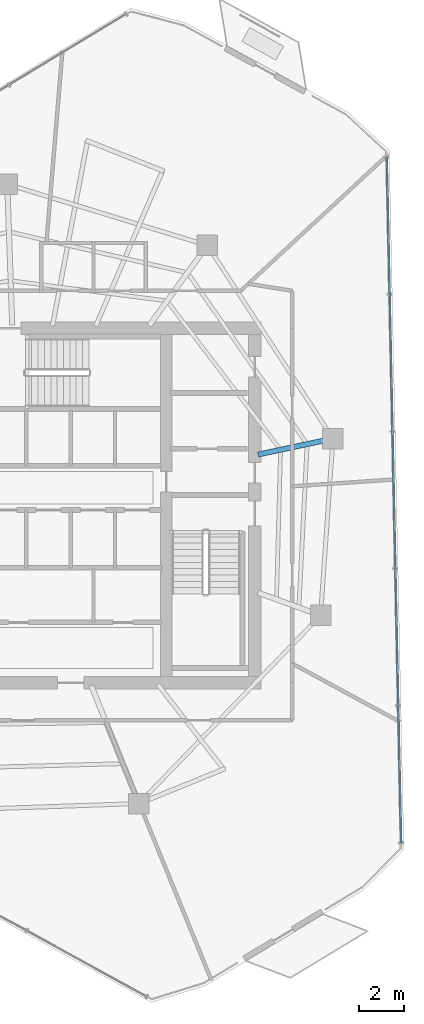
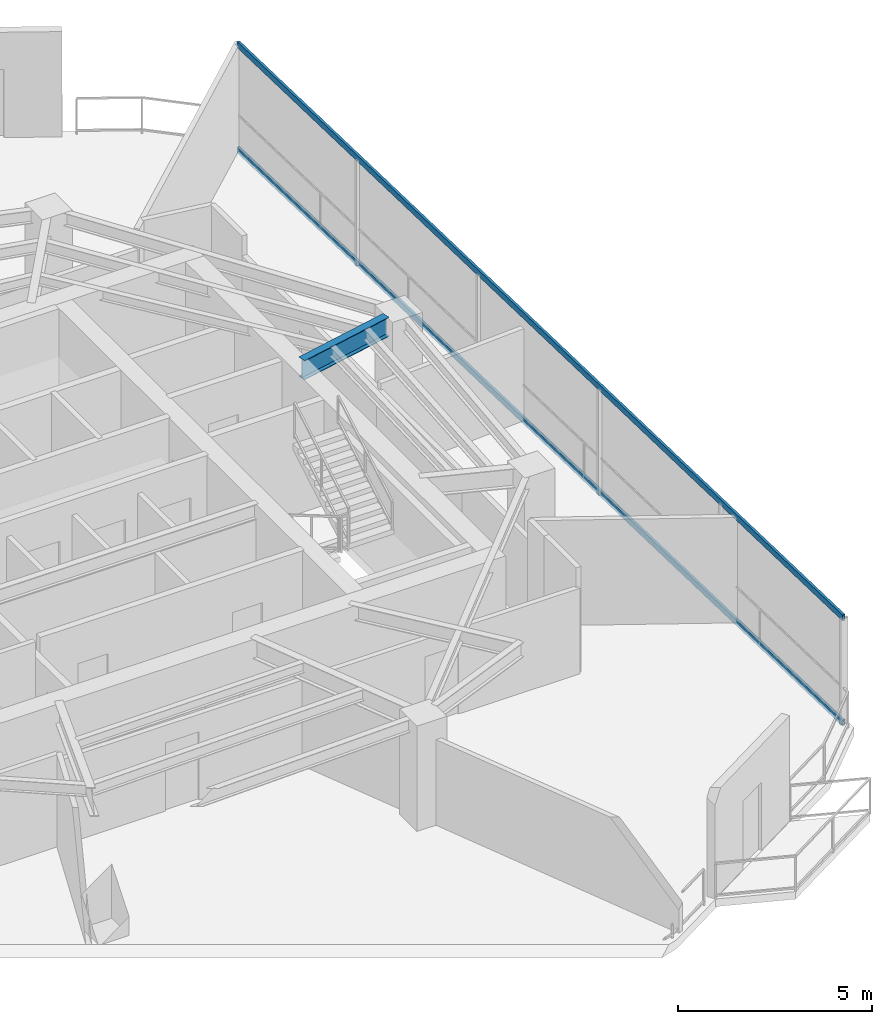
# One storey, part 8 of 19: 2 members, 1 beam, 1 element without a shape of its own.
"""IFC4 building model written with IfcOpenShell, lengths in metres."""

import ifcopenshell
import ifcopenshell.guid

model = None  # the IFC model being written
_history = None  # IfcOwnerHistory: only IFC2X3 demands one
_inside = {}  # id of a spatial element -> (the spatial element, [elements in it])
_under = {}  # id of a project, library or spatial element -> (it, [spatial elements below it])
_declared = {}  # id of a project -> (the project, [libraries it declares])
_typed = {}  # id of a type object -> (the type object, [elements of that type])
_made_of = {}  # id of a material, layer set ... -> (it, [elements and type objects made of it])


def new_model(schema):
    """Start an empty IFC model of exactly this schema.

    Asked for "IFC4X3", IfcOpenShell would pick the latest addendum, in which some entities
    have other attributes; the version numbers below select the first issue.
    IFC2X3 requires an IfcOwnerHistory on every rooted entity: one is made here for all.
    """
    global model, _history
    if schema == "IFC4X3":
        model = ifcopenshell.file(schema_version=(4, 3, 0, 0))
    else:
        model = ifcopenshell.file(schema=schema)
    _inside.clear()
    _under.clear()
    _declared.clear()
    _typed.clear()
    _made_of.clear()
    _history = None
    if model.schema == "IFC2X3":
        org = make("IfcOrganization", Name="unknown")
        user = make(
            "IfcPersonAndOrganization",
            ThePerson=make("IfcPerson", FamilyName="unknown"),
            TheOrganization=org,
        )
        app = make(
            "IfcApplication",
            ApplicationDeveloper=org,
            Version="unknown",
            ApplicationFullName="unknown",
            ApplicationIdentifier="unknown",
        )
        _history = make(
            "IfcOwnerHistory",
            OwningUser=user,
            OwningApplication=app,
            ChangeAction="ADDED",
            CreationDate=0,
        )
    return model


def make(cls, **values):
    """One entity of the class cls with the attributes given. An attribute that is None is left unset."""
    return model.create_entity(
        cls, **{name: value for name, value in values.items() if value is not None}
    )


def rooted(cls, **values):
    """An entity with a GlobalId (a new one), such as an element, a storey or a relation."""
    return make(cls, GlobalId=ifcopenshell.guid.new(), OwnerHistory=_history, **values)


def si_unit(unit_type, name, prefix=None):
    """IfcSIUnit, for example si_unit("LENGTHUNIT", "METRE", prefix="MILLI")."""
    return make("IfcSIUnit", UnitType=unit_type, Prefix=prefix, Name=name)


def assignment(units):
    """IfcUnitAssignment: the units of a project."""
    return None if units is None else make("IfcUnitAssignment", Units=units)


def point(xyz):
    """IfcCartesianPoint."""
    return None if xyz is None else make("IfcCartesianPoint", Coordinates=xyz)


def direction(xyz):
    """IfcDirection."""
    return None if xyz is None else make("IfcDirection", DirectionRatios=xyz)


def frame(location, z_axis=None, x_axis=None):
    """IfcAxis2Placement3D, a coordinate frame: its origin and axes. An axis left out is left unset."""
    return make(
        "IfcAxis2Placement3D",
        Location=point(location),
        Axis=direction(z_axis),
        RefDirection=direction(x_axis),
    )


def frame_2d(location, x_axis=None):
    """IfcAxis2Placement2D, a coordinate frame in the plane: its origin and x axis."""
    return make(
        "IfcAxis2Placement2D", Location=point(location), RefDirection=direction(x_axis)
    )


def origin():
    """The frame at (0, 0, 0) with its axes left unset."""
    return frame((0.0, 0.0, 0.0))


def origin_2d():
    """The frame at (0, 0) in the plane with its x axis left unset."""
    return frame_2d((0.0, 0.0))


def place(relative_to, where):
    """IfcLocalPlacement: puts the frame where relative to a parent placement (None: the world)."""
    return make(
        "IfcLocalPlacement", PlacementRelTo=relative_to, RelativePlacement=where
    )


def context(
    kind, dimensions, precision=None, world=None, true_north=None, identifier=None
):
    """IfcGeometricRepresentationContext, for example the 3D "Model" context."""
    return make(
        "IfcGeometricRepresentationContext",
        ContextIdentifier=identifier,
        ContextType=kind,
        CoordinateSpaceDimension=dimensions,
        Precision=precision,
        WorldCoordinateSystem=world,
        TrueNorth=true_north,
    )


def subcontext(parent, identifier, kind, view, scale=None):
    """IfcGeometricRepresentationSubContext, for example "Body" below "Model"."""
    return make(
        "IfcGeometricRepresentationSubContext",
        ContextIdentifier=identifier,
        ContextType=kind,
        ParentContext=parent,
        TargetScale=scale,
        TargetView=view,
    )


def project(units=None, contexts=None):
    """IfcProject with its units and contexts."""
    return rooted(
        "IfcProject",
        Name="project",
        RepresentationContexts=contexts,
        UnitsInContext=assignment(units),
    )


def spatial(cls, under=None, at=None, **own):
    """A site, building, storey or space (cls), placed at a placement, below another one or the project."""
    s = rooted(cls, ObjectPlacement=at, **own)
    if under is not None:
        _under.setdefault(under.id(), (under, []))[1].append(s)
    return s


def profile(cls, at=None, kind="AREA", **sizes):
    """A parametric profile (cls). Its sizes go by their IFC names, for example OverallWidth=200.0."""
    return make(cls, ProfileType=kind, Position=at, **sizes)


def hollow_rectangle(**sizes):
    """IfcRectangleHollowProfileDef."""
    return profile("IfcRectangleHollowProfileDef", **sizes)


def i_section(**sizes):
    """IfcIShapeProfileDef."""
    return profile("IfcIShapeProfileDef", **sizes)


def extrude(swept, where, along, depth):
    """IfcExtrudedAreaSolid: the profile swept, set in the frame where, extruded along a direction by depth."""
    return make(
        "IfcExtrudedAreaSolid",
        SweptArea=swept,
        Position=where,
        ExtrudedDirection=direction(along),
        Depth=depth,
    )


def shape(context_of_items, identifier, shape_type, items):
    """IfcShapeRepresentation: the items that make up one representation, for example the "Body"."""
    return make(
        "IfcShapeRepresentation",
        ContextOfItems=context_of_items,
        RepresentationIdentifier=identifier,
        RepresentationType=shape_type,
        Items=items,
    )


def material(Name=None, Category=None):
    """IfcMaterial."""
    return make("IfcMaterial", Name=Name, Category=Category)


def layer(
    of_material, thickness, ventilated=None, Name=None, Category=None, Priority=None
):
    """IfcMaterialLayer: one layer of a wall or slab, of a material (None: an air gap)."""
    return make(
        "IfcMaterialLayer",
        Material=of_material,
        LayerThickness=thickness,
        IsVentilated=ventilated,
        Name=Name,
        Category=Category,
        Priority=Priority,
    )


def layer_set(layers, Name=None):
    """IfcMaterialLayerSet."""
    return make("IfcMaterialLayerSet", MaterialLayers=layers, LayerSetName=Name)


def material_profile(
    of_material, cross_section, Name=None, Category=None, Priority=None
):
    """IfcMaterialProfile: a cross section and its material."""
    return make(
        "IfcMaterialProfile",
        Name=Name,
        Material=of_material,
        Profile=cross_section,
        Priority=Priority,
        Category=Category,
    )


def profile_set(profiles, Name=None, composite=None):
    """IfcMaterialProfileSet."""
    return make(
        "IfcMaterialProfileSet",
        Name=Name,
        MaterialProfiles=profiles,
        CompositeProfile=composite,
    )


def made_of(thing, what):
    """Note that an element or type object is made of a material, layer set ...; save() writes the relation."""
    if what is not None:
        _made_of.setdefault(what.id(), (what, []))[1].append(thing)
    return thing


def type_object(cls, material=None, **own):
    """A type object (cls), such as IfcWallType, which elements share."""
    return made_of(rooted(cls, **own), material)


def element(
    cls,
    number,
    at=None,
    inside=None,
    cuts=None,
    type_object=None,
    material=None,
    context=None,
    identifier="Body",
    shape_type=None,
    held_by="IfcProductDefinitionShape",
    body=None,
    shapes=None,
    **own,
):
    """One element of the class cls, such as IfcWall. Its Tag is "e" and its number.

    at: its placement. inside: the storey or other place that contains it. cuts: it is an
    opening in that element (IfcRelVoidsElement). A single representation is given by context,
    identifier, shape_type and body (its items); several are given by shapes. held_by: the class
    of the entity that holds the representations. save() writes the other relations.
    """
    e = rooted(cls, Tag="e%d" % number, ObjectPlacement=at, **own)
    if body is not None:
        shapes = [shape(context, identifier, shape_type, body)]
    if shapes is not None:
        e.Representation = make(held_by, Representations=shapes)
    if inside is not None:
        _inside.setdefault(inside.id(), (inside, []))[1].append(e)
    if cuts is not None:
        rooted(
            "IfcRelVoidsElement", RelatingBuildingElement=cuts, RelatedOpeningElement=e
        )
    if type_object is not None:
        _typed.setdefault(type_object.id(), (type_object, []))[1].append(e)
    return made_of(e, material)


def aggregate(whole, parts):
    """IfcRelAggregates: a whole, such as a stair, and the parts it consists of."""
    return rooted("IfcRelAggregates", RelatingObject=whole, RelatedObjects=parts)


def save(model, path):
    """Write the relations noted so far, then the file.

    IfcRelAggregates (storeys below a building ...), IfcRelContainedInSpatialStructure (elements
    in a storey), IfcRelDefinesByType, IfcRelAssociatesMaterial and IfcRelDeclares: one each for
    every whole, place, type object, material and project.
    """
    for whole, parts in _under.values():
        aggregate(whole, parts)
    for where, things in _inside.values():
        rooted(
            "IfcRelContainedInSpatialStructure",
            RelatedElements=things,
            RelatingStructure=where,
        )
    for kind, things in _typed.values():
        rooted("IfcRelDefinesByType", RelatedObjects=things, RelatingType=kind)
    for what, things in _made_of.values():
        rooted("IfcRelAssociatesMaterial", RelatedObjects=things, RelatingMaterial=what)
    for by, libraries in _declared.values():
        rooted("IfcRelDeclares", RelatingContext=by, RelatedDefinitions=libraries)
    model.write(path)


model = new_model("IFC4")

# Units and contexts
model_context = context("Model", 3, precision=1e-05, world=origin(), true_north=direction((0.0, 1.0)))
body_context = subcontext(model_context, "Body", "Model", "MODEL_VIEW")
ifc_project = project(units=[si_unit("LENGTHUNIT", "METRE"), si_unit("AREAUNIT", "SQUARE_METRE"), si_unit("VOLUMEUNIT", "CUBIC_METRE"), si_unit("PLANEANGLEUNIT", "RADIAN"), si_unit("MASSUNIT", "GRAM", prefix="KILO")], contexts=[model_context])

# Site, building, storey
site_placement = place(None, origin())
site = spatial("IfcSite", under=ifc_project, at=site_placement, CompositionType="ELEMENT")
building_placement = place(site_placement, origin())
building = spatial("IfcBuilding", under=site, at=building_placement, Name="Qarnah Convention Tower", CompositionType="ELEMENT")
storey_placement = place(building_placement, frame((0.0, 0.0, 184.199951171875)))
storey = spatial("IfcBuildingStorey", under=building, at=storey_placement, Name="L49", CompositionType="ELEMENT", Elevation=184.199951171875)

# Beam
ifc_material_1 = material(Name="Structural steel S355JR", Category="steel")
ifc_material_profile_1 = material_profile(ifc_material_1, i_section(OverallWidth=0.22802734375, OverallDepth=0.60791015625, WebThickness=0.010986328125, FlangeThickness=0.01708984375, at=origin_2d()), Name="W610X113")
ifc_profile_set_1 = profile_set([ifc_material_profile_1], Name="Structural steel S355JR")
beam_type = type_object("IfcBeamType", Name="BM-RAD-W610B", PredefinedType="BEAM", material=ifc_profile_set_1)
beam_placement = place(storey_placement, frame((47.7470703125, 28.64208984375, 3.01611328125), z_axis=(0.978136876062, 0.207962140033, 0.0), x_axis=(-0.207962140033, 0.978136876062, 0.0)))
element("IfcBeam", 1, at=beam_placement, inside=storey, type_object=beam_type, Name="L49 beam BM-L49-RAD-01", PredefinedType="BEAM", context=body_context, shape_type="SweptSolid", body=[
    extrude(i_section(OverallWidth=0.22802734375, OverallDepth=0.60791015625, WebThickness=0.010986328125, FlangeThickness=0.01708984375, at=origin_2d()), origin(), (0.0, 0.0, 1.0), 2.937255859375),
])

# Curtain wall, members
ifc_material_2 = material(Name="Tempered Low-E dark glass", Category="glass")
ifc_layer = layer(ifc_material_2, 0.174072265625)
ifc_layer_set = layer_set([ifc_layer], Name="Tempered Low-E dark glass")
curtain_wall_type = type_object("IfcCurtainWallType", Name="CWS-04", PredefinedType="NOTDEFINED", material=ifc_layer_set)
curtain_wall_placement = place(storey_placement, origin())
curtain_wall = element("IfcCurtainWall", 2, at=curtain_wall_placement, inside=storey, type_object=curtain_wall_type, Name="L49 unitised curtain wall CW-L49-F1", PredefinedType="NOTDEFINED")
ifc_material_3 = material(Name="Black anodised aluminium", Category="aluminium")
ifc_material_profile_2 = material_profile(ifc_material_3, hollow_rectangle(XDim=0.074951171875, YDim=0.18994140625, WallThickness=0.0048828125, at=origin_2d()), Name="TRN-75X190")
ifc_profile_set_2 = profile_set([ifc_material_profile_2], Name="Black anodised aluminium")
member_type = type_object("IfcMemberType", Name="TRN-T4", PredefinedType="USERDEFINED", material=ifc_profile_set_2)
member_1_placement = place(storey_placement, frame((53.410888671875, 41.73193359375, 0.0), z_axis=(0.020937775057, -0.999780780759, 0.0), x_axis=(0.999780780759, 0.020937775057, 0.0)))
member_1 = element("IfcMember", 3, at=member_1_placement, type_object=member_type, Name="CW-L49-F1 transom 1", ObjectType="TRANSOM", PredefinedType="USERDEFINED", context=body_context, shape_type="SweptSolid", body=[
    extrude(hollow_rectangle(XDim=0.074951171875, YDim=0.18994140625, WallThickness=0.0048828125, at=origin_2d()), origin(), (0.0, 0.0, 1.0), 30.1884765625),
])
member_2_placement = place(storey_placement, frame((53.410888671875, 41.73193359375, 3.320068359375), z_axis=(0.020937775057, -0.999780780759, 0.0), x_axis=(0.999780780759, 0.020937775057, 0.0)))
member_2 = element("IfcMember", 4, at=member_2_placement, type_object=member_type, Name="CW-L49-F1 transom 2", ObjectType="TRANSOM", PredefinedType="USERDEFINED", context=body_context, shape_type="SweptSolid", body=[
    extrude(hollow_rectangle(XDim=0.074951171875, YDim=0.18994140625, WallThickness=0.0048828125, at=origin_2d()), origin(), (0.0, 0.0, 1.0), 30.1884765625),
])
aggregate(curtain_wall, [member_1, member_2])

save(model, "model.ifc")
